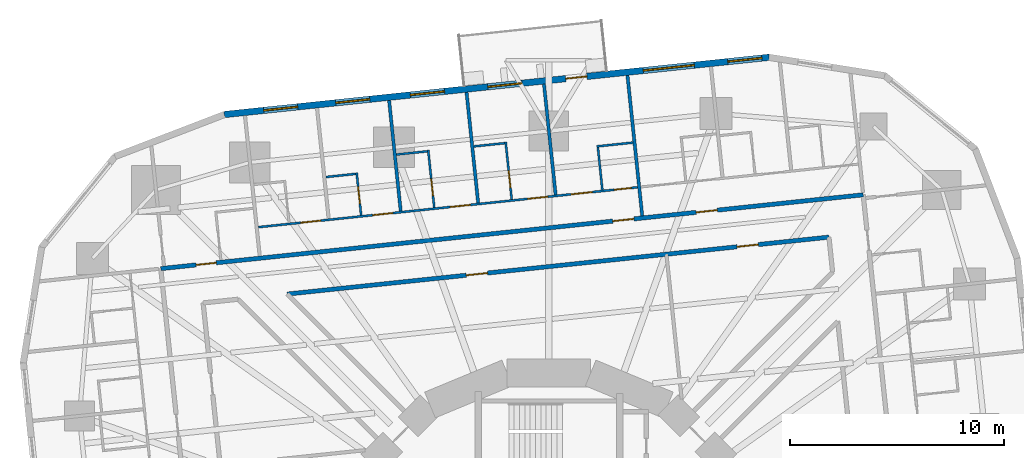
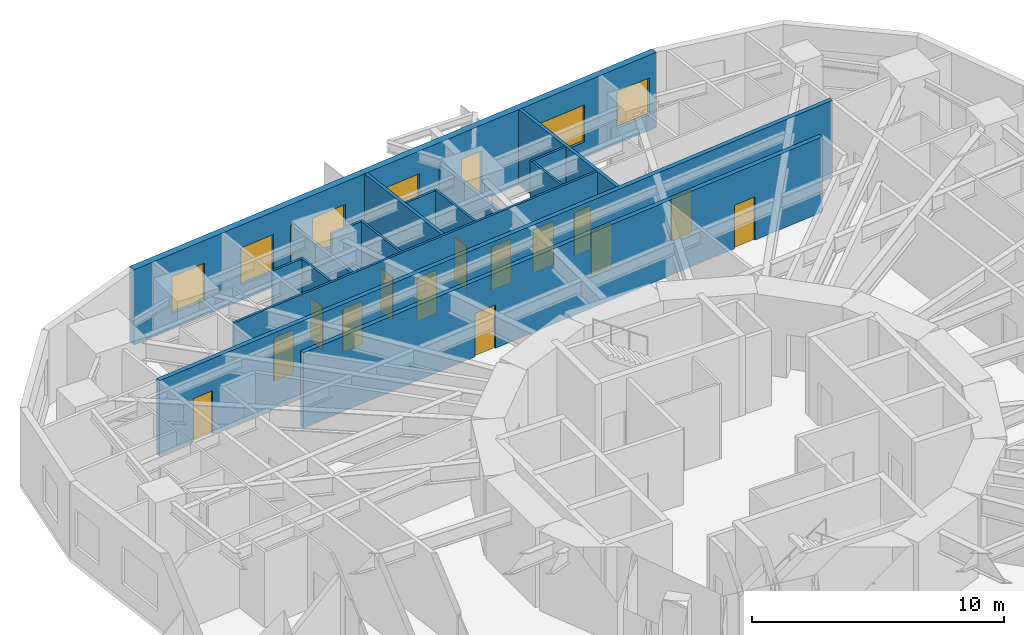
# One storey, part 11 of 15: 16 walls, 15 doors, 6 windows, 21 openings.
"""IFC4 building model written with IfcOpenShell, lengths in metres."""

from ifc_helpers import new_model, si_unit, direction, frame, frame_2d, origin, place, context, subcontext, project, spatial, rectangle, extrude, material, layer, layer_set, type_object, element, fill, save


model = new_model("IFC4")

# Units and contexts
model_context = context("Model", 3, precision=1e-05, world=origin(), true_north=direction((0.0, 1.0)))
body_context = subcontext(model_context, "Body", "Model", "MODEL_VIEW")
ifc_project = project(units=[si_unit("LENGTHUNIT", "METRE"), si_unit("AREAUNIT", "SQUARE_METRE"), si_unit("VOLUMEUNIT", "CUBIC_METRE"), si_unit("PLANEANGLEUNIT", "RADIAN"), si_unit("MASSUNIT", "GRAM", prefix="KILO")], contexts=[model_context])

# Site, building, storey
site_placement = place(None, origin())
site = spatial("IfcSite", under=ifc_project, at=site_placement, CompositionType="ELEMENT")
building_placement = place(site_placement, origin())
building = spatial("IfcBuilding", under=site, at=building_placement, Name="Nakasero Lantern House", CompositionType="ELEMENT")
storey_placement = place(building_placement, frame((0.0, 0.0, 72.050048828125)))
storey = spatial("IfcBuildingStorey", under=building, at=storey_placement, Name="L17", CompositionType="ELEMENT", Elevation=72.050048828125)

# Wall, openings, doors
ifc_material_1 = material(Name="Blockwork", Category="masonry")
ifc_layer_1 = layer(ifc_material_1, 0.10009765625)
ifc_layer_set_1 = layer_set([ifc_layer_1], Name="Cluster hall wall 100")
wall_type_1 = type_object("IfcWallType", Name="Cluster hall wall 100", PredefinedType="PARTITIONING", material=ifc_layer_set_1)
wall_1_placement = place(storey_placement, frame((4.143798828125, 18.484375, 0.0), z_axis=(0.0, 0.0, 1.0), x_axis=(-0.994522331519, -0.104524313484, 0.0)))
wall_1 = element("IfcWall", 1, at=wall_1_placement, inside=storey, type_object=wall_type_1, Name="Cluster hall wall L17 HW1-1", PredefinedType="PARTITIONING", context=body_context, shape_type="SweptSolid", body=[
    extrude(rectangle(XDim=17.8193359375, YDim=0.10009765625, at=frame_2d((8.90966796875, 0.0))), origin(), (0.0, 0.0, 1.0), 3.64990234375),
])
opening_1_placement = place(wall_1_placement, frame((2.125, 0.0, 0.0)))
opening_1 = element("IfcOpeningElement", 2, at=opening_1_placement, cuts=wall_1, Name="Opening D03", PredefinedType="OPENING", context=body_context, shape_type="SweptSolid", body=[
    extrude(rectangle(XDim=1.0, YDim=2.10009765625, at=frame_2d((0.5, 1.050048828125))), frame((0.0, 0.070068359375, 0.0), z_axis=(0.0, -1.0, 0.0), x_axis=(1.0, 0.0, 0.0)), (0.0, 0.0, 1.0), 0.14013671875),
])
opening_2_placement = place(wall_1_placement, frame((0.300048828125, 0.0, 0.0)))
opening_2 = element("IfcOpeningElement", 3, at=opening_2_placement, cuts=wall_1, Name="Opening D02", PredefinedType="OPENING", context=body_context, shape_type="SweptSolid", body=[
    extrude(rectangle(XDim=0.800048828125, YDim=2.10009765625, at=frame_2d((0.39990234375, 1.050048828125))), frame((0.0, 0.070068359375, 0.0), z_axis=(0.0, -1.0, 0.0), x_axis=(1.0, 0.0, 0.0)), (0.0, 0.0, 1.0), 0.14013671875),
])
opening_3_placement = place(wall_1_placement, frame((4.22119140625, 0.0, 0.0)))
opening_3 = element("IfcOpeningElement", 4, at=opening_3_placement, cuts=wall_1, Name="Opening D01", PredefinedType="OPENING", context=body_context, shape_type="SweptSolid", body=[
    extrude(rectangle(XDim=0.949951171875, YDim=2.10009765625, at=frame_2d((0.47509765625, 1.050048828125))), frame((0.0, 0.070068359375, 0.0), z_axis=(0.0, -1.0, 0.0), x_axis=(1.0, 0.0, 0.0)), (0.0, 0.0, 1.0), 0.14013671875),
])
opening_4_placement = place(wall_1_placement, frame((7.859619140625, 0.0, 0.0)))
opening_4 = element("IfcOpeningElement", 5, at=opening_4_placement, cuts=wall_1, Name="Opening D01", PredefinedType="OPENING", context=body_context, shape_type="SweptSolid", body=[
    extrude(rectangle(XDim=0.949951171875, YDim=2.10009765625, at=frame_2d((0.47509765625, 1.050048828125))), frame((0.0, 0.070068359375, 0.0), z_axis=(0.0, -1.0, 0.0), x_axis=(1.0, 0.0, 0.0)), (0.0, 0.0, 1.0), 0.14013671875),
])
opening_5_placement = place(wall_1_placement, frame((11.498291015625, 0.0, 0.0)))
opening_5 = element("IfcOpeningElement", 6, at=opening_5_placement, cuts=wall_1, Name="Opening D01", PredefinedType="OPENING", context=body_context, shape_type="SweptSolid", body=[
    extrude(rectangle(XDim=0.949951171875, YDim=2.10009765625, at=frame_2d((0.47509765625, 1.050048828125))), frame((0.0, 0.070068359375, 0.0), z_axis=(0.0, -1.0, 0.0), x_axis=(1.0, 0.0, 0.0)), (0.0, 0.0, 1.0), 0.14013671875),
])
opening_6_placement = place(wall_1_placement, frame((14.8837890625, 0.0, 0.0)))
opening_6 = element("IfcOpeningElement", 7, at=opening_6_placement, cuts=wall_1, Name="Opening D01", PredefinedType="OPENING", context=body_context, shape_type="SweptSolid", body=[
    extrude(rectangle(XDim=0.949951171875, YDim=2.10009765625, at=frame_2d((0.47509765625, 1.050048828125))), frame((0.0, 0.070068359375, 0.0), z_axis=(0.0, -1.0, 0.0), x_axis=(1.0, 0.0, 0.0)), (0.0, 0.0, 1.0), 0.14013671875),
])
ifc_material_2 = material(Name="Timber C24", Category="wood")
door_type_1 = type_object("IfcDoorType", Name="Bedroom door FD30S 950", OperationType="SINGLE_SWING_LEFT", PredefinedType="DOOR", material=ifc_material_2)
door_1_placement = place(opening_3_placement, origin())
door_1 = element("IfcDoor", 8, at=door_1_placement, inside=storey, type_object=door_type_1, Name="Door L17 D1-04", OperationType="SINGLE_SWING_LEFT", OverallHeight=2.10009765625, OverallWidth=0.949951171875, PredefinedType="DOOR", context=body_context, shape_type="SweptSolid", body=[
    extrude(rectangle(XDim=0.949951171875, YDim=2.10009765625, at=frame_2d((0.47509765625, 1.050048828125))), frame((0.0, 0.02490234375, 0.0), z_axis=(0.0, -1.0, 0.0), x_axis=(1.0, 0.0, 0.0)), (0.0, 0.0, 1.0), 0.050048828125),
])
fill(opening_3, door_1)
door_2_placement = place(opening_4_placement, origin())
door_2 = element("IfcDoor", 9, at=door_2_placement, inside=storey, type_object=door_type_1, Name="Door L17 D1-05", OperationType="SINGLE_SWING_LEFT", OverallHeight=2.10009765625, OverallWidth=0.949951171875, PredefinedType="DOOR", context=body_context, shape_type="SweptSolid", body=[
    extrude(rectangle(XDim=0.949951171875, YDim=2.10009765625, at=frame_2d((0.47509765625, 1.050048828125))), frame((0.0, 0.02490234375, 0.0), z_axis=(0.0, -1.0, 0.0), x_axis=(1.0, 0.0, 0.0)), (0.0, 0.0, 1.0), 0.050048828125),
])
fill(opening_4, door_2)
door_3_placement = place(opening_5_placement, origin())
door_3 = element("IfcDoor", 10, at=door_3_placement, inside=storey, type_object=door_type_1, Name="Door L17 D1-06", OperationType="SINGLE_SWING_RIGHT", OverallHeight=2.10009765625, OverallWidth=0.949951171875, PredefinedType="DOOR", context=body_context, shape_type="SweptSolid", body=[
    extrude(rectangle(XDim=0.949951171875, YDim=2.10009765625, at=frame_2d((0.47509765625, 1.050048828125))), frame((0.0, 0.02490234375, 0.0), z_axis=(0.0, -1.0, 0.0), x_axis=(1.0, 0.0, 0.0)), (0.0, 0.0, 1.0), 0.050048828125),
])
fill(opening_5, door_3)
door_4_placement = place(opening_6_placement, origin())
door_4 = element("IfcDoor", 11, at=door_4_placement, inside=storey, type_object=door_type_1, Name="Door L17 D1-07", OperationType="SINGLE_SWING_RIGHT", OverallHeight=2.10009765625, OverallWidth=0.949951171875, PredefinedType="DOOR", context=body_context, shape_type="SweptSolid", body=[
    extrude(rectangle(XDim=0.949951171875, YDim=2.10009765625, at=frame_2d((0.47509765625, 1.050048828125))), frame((0.0, 0.02490234375, 0.0), z_axis=(0.0, -1.0, 0.0), x_axis=(1.0, 0.0, 0.0)), (0.0, 0.0, 1.0), 0.050048828125),
])
fill(opening_6, door_4)
ifc_material_3 = material(Name="Timber C24", Category="wood")
door_type_2 = type_object("IfcDoorType", Name="En-suite door 800", OperationType="SINGLE_SWING_RIGHT", PredefinedType="DOOR", material=ifc_material_3)
door_5_placement = place(opening_2_placement, origin())
door_5 = element("IfcDoor", 12, at=door_5_placement, inside=storey, type_object=door_type_2, Name="Door L17 DSH1-1", OperationType="SINGLE_SWING_LEFT", OverallHeight=2.10009765625, OverallWidth=0.800048828125, PredefinedType="DOOR", context=body_context, shape_type="SweptSolid", body=[
    extrude(rectangle(XDim=0.800048828125, YDim=2.10009765625, at=frame_2d((0.39990234375, 1.050048828125))), frame((0.0, 0.02490234375, 0.0), z_axis=(0.0, -1.0, 0.0), x_axis=(1.0, 0.0, 0.0)), (0.0, 0.0, 1.0), 0.050048828125),
])
fill(opening_2, door_5)
ifc_material_4 = material(Name="Timber C24", Category="wood")
door_type_3 = type_object("IfcDoorType", Name="Lounge door FD30S 1000", OperationType="SINGLE_SWING_LEFT", PredefinedType="DOOR", material=ifc_material_4)
door_6_placement = place(opening_1_placement, origin())
door_6 = element("IfcDoor", 13, at=door_6_placement, inside=storey, type_object=door_type_3, Name="Door L17 DH1-1", OperationType="SINGLE_SWING_LEFT", OverallHeight=2.10009765625, OverallWidth=1.0, PredefinedType="DOOR", context=body_context, shape_type="SweptSolid", body=[
    extrude(rectangle(XDim=1.0, YDim=2.10009765625, at=frame_2d((0.5, 1.050048828125))), frame((0.0, 0.02490234375, 0.0), z_axis=(0.0, -1.0, 0.0), x_axis=(1.0, 0.0, 0.0)), (0.0, 0.0, 1.0), 0.050048828125),
])
fill(opening_1, door_6)

ifc_material_5 = material(Name="Blockwork", Category="masonry")
ifc_layer_2 = layer(ifc_material_5, 0.199951171875)
ifc_layer_set_2 = layer_set([ifc_layer_2], Name="Corridor wall 200")
wall_type_2 = type_object("IfcWallType", Name="Corridor wall 200", PredefinedType="PARTITIONING", material=ifc_layer_set_2)
wall_2_placement = place(storey_placement, frame((14.684814453125, 18.13427734375, 0.0), z_axis=(0.0, 0.0, 1.0), x_axis=(-0.994521777723, -0.10452958258, 0.0)))
wall_2 = element("IfcWall", 14, at=wall_2_placement, inside=storey, type_object=wall_type_2, Name="Corridor wall L17 CW1", PredefinedType="PARTITIONING", context=body_context, shape_type="SweptSolid", body=[
    extrude(rectangle(XDim=32.999755859375, YDim=0.199951171875, at=frame_2d((16.5, 0.0))), origin(), (0.0, 0.0, 1.0), 3.64990234375),
])
opening_7_placement = place(wall_2_placement, frame((6.8505859375, 0.0, 0.0)))
opening_7 = element("IfcOpeningElement", 15, at=opening_7_placement, cuts=wall_2, Name="Opening D14", PredefinedType="OPENING", context=body_context, shape_type="SweptSolid", body=[
    extrude(rectangle(XDim=1.0, YDim=2.10009765625, at=frame_2d((0.5, 1.050048828125))), frame((0.0, 0.119873046875, 0.0), z_axis=(0.0, -1.0, 0.0), x_axis=(1.0, 0.0, 0.0)), (0.0, 0.0, 1.0), 0.239990234375),
])
opening_8_placement = place(wall_2_placement, frame((10.771728515625, 0.0, 0.0)))
opening_8 = element("IfcOpeningElement", 16, at=opening_8_placement, cuts=wall_2, Name="Opening D14", PredefinedType="OPENING", context=body_context, shape_type="SweptSolid", body=[
    extrude(rectangle(XDim=1.0, YDim=2.10009765625, at=frame_2d((0.5, 1.050048828125))), frame((0.0, 0.119873046875, 0.0), z_axis=(0.0, -1.0, 0.0), x_axis=(1.0, 0.0, 0.0)), (0.0, 0.0, 1.0), 0.239990234375),
])
opening_9_placement = place(wall_2_placement, frame((30.39111328125, 0.0, 0.0)))
opening_9 = element("IfcOpeningElement", 17, at=opening_9_placement, cuts=wall_2, Name="Opening D01", PredefinedType="OPENING", context=body_context, shape_type="SweptSolid", body=[
    extrude(rectangle(XDim=0.949951171875, YDim=2.10009765625, at=frame_2d((0.47509765625, 1.050048828125))), frame((0.0, 0.119873046875, 0.0), z_axis=(0.0, -1.0, 0.0), x_axis=(1.0, 0.0, 0.0)), (0.0, 0.0, 1.0), 0.239990234375),
])
door_7_placement = place(opening_9_placement, origin())
door_7 = element("IfcDoor", 18, at=door_7_placement, inside=storey, type_object=door_type_1, Name="Door L17 D1-08", OperationType="SINGLE_SWING_RIGHT", OverallHeight=2.10009765625, OverallWidth=0.949951171875, PredefinedType="DOOR", context=body_context, shape_type="SweptSolid", body=[
    extrude(rectangle(XDim=0.949951171875, YDim=2.10009765625, at=frame_2d((0.47509765625, 1.050048828125))), frame((0.0, 0.02490234375, 0.0), z_axis=(0.0, -1.0, 0.0), x_axis=(1.0, 0.0, 0.0)), (0.0, 0.0, 1.0), 0.050048828125),
])
fill(opening_9, door_7)
ifc_material_6 = material(Name="Timber C24", Category="wood")
door_type_4 = type_object("IfcDoorType", Name="Cluster entrance door FD30S 1000", OperationType="SINGLE_SWING_LEFT", PredefinedType="DOOR", material=ifc_material_6)
door_8_placement = place(opening_7_placement, origin())
door_8 = element("IfcDoor", 19, at=door_8_placement, inside=storey, type_object=door_type_4, Name="Door L17 DF1-0", OperationType="SINGLE_SWING_LEFT", OverallHeight=2.10009765625, OverallWidth=1.0, PredefinedType="DOOR", context=body_context, shape_type="SweptSolid", body=[
    extrude(rectangle(XDim=1.0, YDim=2.10009765625, at=frame_2d((0.5, 1.050048828125))), frame((0.0, 0.02490234375, 0.0), z_axis=(0.0, -1.0, 0.0), x_axis=(1.0, 0.0, 0.0)), (0.0, 0.0, 1.0), 0.050048828125),
])
fill(opening_7, door_8)
door_9_placement = place(opening_8_placement, origin())
door_9 = element("IfcDoor", 20, at=door_9_placement, inside=storey, type_object=door_type_4, Name="Door L17 DF1-1", OperationType="SINGLE_SWING_LEFT", OverallHeight=2.10009765625, OverallWidth=1.0, PredefinedType="DOOR", context=body_context, shape_type="SweptSolid", body=[
    extrude(rectangle(XDim=1.0, YDim=2.10009765625, at=frame_2d((0.5, 1.050048828125))), frame((0.0, 0.02490234375, 0.0), z_axis=(0.0, -1.0, 0.0), x_axis=(1.0, 0.0, 0.0)), (0.0, 0.0, 1.0), 0.050048828125),
])
fill(opening_8, door_9)

wall_3_placement = place(storey_placement, frame((13.0830078125, 16.156005859375, 0.0), z_axis=(0.0, 0.0, 1.0), x_axis=(-0.994522473358, -0.104522963916, 0.0)))
wall_3 = element("IfcWall", 21, at=wall_3_placement, inside=storey, type_object=wall_type_2, Name="Corridor wall L17 IW1-0", PredefinedType="PARTITIONING", context=body_context, shape_type="SweptSolid", body=[
    extrude(rectangle(XDim=25.44580078125, YDim=0.199951171875, at=frame_2d((12.722900390625, 0.0))), origin(), (0.0, 0.0, 1.0), 3.64990234375),
])
opening_10_placement = place(wall_3_placement, frame((3.31689453125, 0.0, 0.0)))
opening_10 = element("IfcOpeningElement", 22, at=opening_10_placement, cuts=wall_3, Name="Opening D07", PredefinedType="OPENING", context=body_context, shape_type="SweptSolid", body=[
    extrude(rectangle(XDim=1.0, YDim=2.10009765625, at=frame_2d((0.5, 1.050048828125))), frame((0.0, 0.119873046875, 0.0), z_axis=(0.0, -1.0, 0.0), x_axis=(1.0, 0.0, 0.0)), (0.0, 0.0, 1.0), 0.239990234375),
])
opening_11_placement = place(wall_3_placement, frame((16.039794921875, 0.0, 0.0)))
opening_11 = element("IfcOpeningElement", 23, at=opening_11_placement, cuts=wall_3, Name="Opening D07", PredefinedType="OPENING", context=body_context, shape_type="SweptSolid", body=[
    extrude(rectangle(XDim=1.0, YDim=2.10009765625, at=frame_2d((0.5, 1.050048828125))), frame((0.0, 0.119873046875, 0.0), z_axis=(0.0, -1.0, 0.0), x_axis=(1.0, 0.0, 0.0)), (0.0, 0.0, 1.0), 0.239990234375),
])
ifc_material_7 = material(Name="Timber C24", Category="wood")
door_type_5 = type_object("IfcDoorType", Name="Room door FD30S 1000", OperationType="SINGLE_SWING_LEFT", PredefinedType="DOOR", material=ifc_material_7)
door_10_placement = place(opening_10_placement, origin())
door_10 = element("IfcDoor", 24, at=door_10_placement, inside=storey, type_object=door_type_5, Name="Door L17 DI2", OperationType="SINGLE_SWING_LEFT", OverallHeight=2.10009765625, OverallWidth=1.0, PredefinedType="DOOR", context=body_context, shape_type="SweptSolid", body=[
    extrude(rectangle(XDim=1.0, YDim=2.10009765625, at=frame_2d((0.5, 1.050048828125))), frame((0.0, 0.02490234375, 0.0), z_axis=(0.0, -1.0, 0.0), x_axis=(1.0, 0.0, 0.0)), (0.0, 0.0, 1.0), 0.050048828125),
])
fill(opening_10, door_10)
door_11_placement = place(opening_11_placement, origin())
door_11 = element("IfcDoor", 25, at=door_11_placement, inside=storey, type_object=door_type_5, Name="Door L17 DI2S", OperationType="SINGLE_SWING_RIGHT", OverallHeight=2.10009765625, OverallWidth=1.0, PredefinedType="DOOR", context=body_context, shape_type="SweptSolid", body=[
    extrude(rectangle(XDim=1.0, YDim=2.10009765625, at=frame_2d((0.5, 1.050048828125))), frame((0.0, 0.02490234375, 0.0), z_axis=(0.0, -1.0, 0.0), x_axis=(1.0, 0.0, 0.0)), (0.0, 0.0, 1.0), 0.050048828125),
])
fill(opening_11, door_11)

# Walls
ifc_material_8 = material(Name="Blockwork", Category="masonry")
ifc_layer_3 = layer(ifc_material_8, 0.10009765625)
ifc_layer_set_3 = layer_set([ifc_layer_3], Name="En-suite wall 100")
wall_type_3 = type_object("IfcWallType", Name="En-suite wall 100", PredefinedType="PARTITIONING", material=ifc_layer_set_3)
wall_4_placement = place(storey_placement, frame((2.49755859375, 18.361572265625, 0.0), z_axis=(0.0, 0.0, 1.0), x_axis=(-0.104509292252, 0.994523910136, 0.0)))
element("IfcWall", 26, at=wall_4_placement, inside=storey, type_object=wall_type_3, Name="En-suite wall L17 SS1-1", PredefinedType="PARTITIONING", context=body_context, shape_type="SweptSolid", body=[
    extrude(rectangle(XDim=2.10009765625, YDim=0.10009765625, at=frame_2d((1.050048828125, 0.0))), origin(), (0.0, 0.0, 1.0), 3.64990234375),
])
wall_5_placement = place(storey_placement, frame((3.92431640625, 20.572998046875, 0.0), z_axis=(0.0, 0.0, 1.0), x_axis=(-0.994519608382, -0.104550220202, 0.0)))
element("IfcWall", 27, at=wall_5_placement, inside=storey, type_object=wall_type_3, Name="En-suite wall L17 SE1-1", PredefinedType="PARTITIONING", context=body_context, shape_type="SweptSolid", body=[
    extrude(rectangle(XDim=1.699951171875, YDim=0.10009765625, at=frame_2d((0.85009765625, 0.0))), origin(), (0.0, 0.0, 1.0), 3.64990234375),
])

# Wall, opening, door
wall_6_placement = place(storey_placement, frame((-1.73876953125, 17.91650390625, 0.0), z_axis=(0.0, 0.0, 1.0), x_axis=(-0.104534153452, 0.994521297289, 0.0)))
wall_6 = element("IfcWall", 28, at=wall_6_placement, inside=storey, type_object=wall_type_3, Name="En-suite wall L17 ES1-04", PredefinedType="PARTITIONING", context=body_context, shape_type="SweptSolid", body=[
    extrude(rectangle(XDim=2.699951171875, YDim=0.10009765625, at=frame_2d((1.35009765625, 0.0))), origin(), (0.0, 0.0, 1.0), 3.64990234375),
])
opening_12_placement = place(wall_6_placement, frame((0.550048828125, 0.0, 0.0)))
opening_12 = element("IfcOpeningElement", 29, at=opening_12_placement, cuts=wall_6, Name="Opening D02", PredefinedType="OPENING", context=body_context, shape_type="SweptSolid", body=[
    extrude(rectangle(XDim=0.800048828125, YDim=2.10009765625, at=frame_2d((0.39990234375, 1.050048828125))), frame((0.0, 0.070068359375, 0.0), z_axis=(0.0, -1.0, 0.0), x_axis=(1.0, 0.0, 0.0)), (0.0, 0.0, 1.0), 0.14013671875),
])
door_12_placement = place(opening_12_placement, origin())
door_12 = element("IfcDoor", 30, at=door_12_placement, inside=storey, type_object=door_type_2, Name="Door L17 DE1-04", OperationType="SINGLE_SWING_LEFT", OverallHeight=2.10009765625, OverallWidth=0.800048828125, PredefinedType="DOOR", context=body_context, shape_type="SweptSolid", body=[
    extrude(rectangle(XDim=0.800048828125, YDim=2.10009765625, at=frame_2d((0.39990234375, 1.050048828125))), frame((0.0, 0.02490234375, 0.0), z_axis=(0.0, -1.0, 0.0), x_axis=(1.0, 0.0, 0.0)), (0.0, 0.0, 1.0), 0.050048828125),
])
fill(opening_12, door_12)

# Wall
wall_7_placement = place(storey_placement, frame((-2.0654296875, 20.546630859375, 0.0), z_axis=(0.0, 0.0, 1.0), x_axis=(-0.994519282274, -0.10455332221, 0.0)))
element("IfcWall", 31, at=wall_7_placement, inside=storey, type_object=wall_type_3, Name="En-suite wall L17 EE1-04", PredefinedType="PARTITIONING", context=body_context, shape_type="SweptSolid", body=[
    extrude(rectangle(XDim=1.4501953125, YDim=0.10009765625, at=frame_2d((0.72509765625, 0.0))), origin(), (0.0, 0.0, 1.0), 3.64990234375),
])

# Wall, opening, door
wall_8_placement = place(storey_placement, frame((-5.357421875, 17.5361328125, 0.0), z_axis=(0.0, 0.0, 1.0), x_axis=(-0.104534153452, 0.994521297289, 0.0)))
wall_8 = element("IfcWall", 32, at=wall_8_placement, inside=storey, type_object=wall_type_3, Name="En-suite wall L17 ES1-05", PredefinedType="PARTITIONING", context=body_context, shape_type="SweptSolid", body=[
    extrude(rectangle(XDim=2.699951171875, YDim=0.10009765625, at=frame_2d((1.35009765625, 0.0))), origin(), (0.0, 0.0, 1.0), 3.64990234375),
])
opening_13_placement = place(wall_8_placement, frame((0.550048828125, 0.0, 0.0)))
opening_13 = element("IfcOpeningElement", 33, at=opening_13_placement, cuts=wall_8, Name="Opening D02", PredefinedType="OPENING", context=body_context, shape_type="SweptSolid", body=[
    extrude(rectangle(XDim=0.800048828125, YDim=2.10009765625, at=frame_2d((0.39990234375, 1.050048828125))), frame((0.0, 0.070068359375, 0.0), z_axis=(0.0, -1.0, 0.0), x_axis=(1.0, 0.0, 0.0)), (0.0, 0.0, 1.0), 0.14013671875),
])
door_13_placement = place(opening_13_placement, origin())
door_13 = element("IfcDoor", 34, at=door_13_placement, inside=storey, type_object=door_type_2, Name="Door L17 DE1-05", OperationType="SINGLE_SWING_LEFT", OverallHeight=2.10009765625, OverallWidth=0.800048828125, PredefinedType="DOOR", context=body_context, shape_type="SweptSolid", body=[
    extrude(rectangle(XDim=0.800048828125, YDim=2.10009765625, at=frame_2d((0.39990234375, 1.050048828125))), frame((0.0, 0.02490234375, 0.0), z_axis=(0.0, -1.0, 0.0), x_axis=(1.0, 0.0, 0.0)), (0.0, 0.0, 1.0), 0.050048828125),
])
fill(opening_13, door_13)

# Wall
wall_9_placement = place(storey_placement, frame((-5.68408203125, 20.166259765625, 0.0), z_axis=(0.0, 0.0, 1.0), x_axis=(-0.994519282274, -0.10455332221, 0.0)))
element("IfcWall", 35, at=wall_9_placement, inside=storey, type_object=wall_type_3, Name="En-suite wall L17 EE1-05", PredefinedType="PARTITIONING", context=body_context, shape_type="SweptSolid", body=[
    extrude(rectangle(XDim=1.4501953125, YDim=0.10009765625, at=frame_2d((0.72509765625, 0.0))), origin(), (0.0, 0.0, 1.0), 3.64990234375),
])

# Wall, opening, door
wall_10_placement = place(storey_placement, frame((-8.774169921875, 17.177001953125, 0.0), z_axis=(0.0, 0.0, 1.0), x_axis=(-0.104494148666, 0.99452550138, 0.0)))
wall_10 = element("IfcWall", 36, at=wall_10_placement, inside=storey, type_object=wall_type_3, Name="En-suite wall L17 ES1-06", PredefinedType="PARTITIONING", context=body_context, shape_type="SweptSolid", body=[
    extrude(rectangle(XDim=2.0, YDim=0.10009765625, at=frame_2d((1.0, 0.0))), origin(), (0.0, 0.0, 1.0), 3.64990234375),
])
opening_14_placement = place(wall_10_placement, frame((0.550048828125, 0.0, 0.0)))
opening_14 = element("IfcOpeningElement", 37, at=opening_14_placement, cuts=wall_10, Name="Opening D02", PredefinedType="OPENING", context=body_context, shape_type="SweptSolid", body=[
    extrude(rectangle(XDim=0.800048828125, YDim=2.10009765625, at=frame_2d((0.39990234375, 1.050048828125))), frame((0.0, 0.070068359375, 0.0), z_axis=(0.0, -1.0, 0.0), x_axis=(1.0, 0.0, 0.0)), (0.0, 0.0, 1.0), 0.14013671875),
])
door_14_placement = place(opening_14_placement, origin())
door_14 = element("IfcDoor", 38, at=door_14_placement, inside=storey, type_object=door_type_2, Name="Door L17 DE1-06", OperationType="SINGLE_SWING_LEFT", OverallHeight=2.10009765625, OverallWidth=0.800048828125, PredefinedType="DOOR", context=body_context, shape_type="SweptSolid", body=[
    extrude(rectangle(XDim=0.800048828125, YDim=2.10009765625, at=frame_2d((0.39990234375, 1.050048828125))), frame((0.0, 0.02490234375, 0.0), z_axis=(0.0, -1.0, 0.0), x_axis=(1.0, 0.0, 0.0)), (0.0, 0.0, 1.0), 0.050048828125),
])
fill(opening_14, door_14)

# Wall
wall_11_placement = place(storey_placement, frame((-9.027587890625, 19.111083984375, 0.0), z_axis=(0.0, 0.0, 1.0), x_axis=(-0.994511184598, -0.104630319263, 0.0)))
element("IfcWall", 39, at=wall_11_placement, inside=storey, type_object=wall_type_3, Name="En-suite wall L17 EE1-06", PredefinedType="PARTITIONING", context=body_context, shape_type="SweptSolid", body=[
    extrude(rectangle(XDim=1.39990234375, YDim=0.10009765625, at=frame_2d((0.699951171875, 0.0))), origin(), (0.0, 0.0, 1.0), 3.64990234375),
])

# Wall, openings, door, windows
ifc_material_9 = material(Name="Aluminium rainscreen on blockwork", Category="masonry")
ifc_layer_4 = layer(ifc_material_9, 0.300048828125)
ifc_layer_set_4 = layer_set([ifc_layer_4], Name="Facade wall 300")
wall_type_4 = type_object("IfcWallType", Name="Facade wall 300", PredefinedType="SOLIDWALL", material=ifc_layer_set_4)
wall_12_placement = place(storey_placement, frame((10.2890625, 24.56005859375, 0.0), z_axis=(0.0, 0.0, 1.0), x_axis=(-0.994521483895, -0.104532378096, 0.0)))
wall_12 = element("IfcWall", 40, at=wall_12_placement, inside=storey, type_object=wall_type_4, Name="Facade wall L17 FW1S", PredefinedType="SOLIDWALL", context=body_context, shape_type="SweptSolid", body=[
    extrude(rectangle(XDim=25.599853515625, YDim=0.300048828125, at=frame_2d((12.7998046875, 0.0))), origin(), (0.0, 0.0, 1.0), 3.64990234375),
])
opening_15_placement = place(wall_12_placement, frame((0.337890625, 0.0, 0.75)))
opening_15 = element("IfcOpeningElement", 41, at=opening_15_placement, cuts=wall_12, Name="Opening W01", PredefinedType="OPENING", context=body_context, shape_type="SweptSolid", body=[
    extrude(rectangle(XDim=1.60009765625, YDim=1.800048828125, at=frame_2d((0.800048828125, 0.89990234375))), frame((0.0, 0.169921875, 0.0), z_axis=(0.0, -1.0, 0.0), x_axis=(1.0, 0.0, 0.0)), (0.0, 0.0, 1.0), 0.340087890625),
])
opening_16_placement = place(wall_12_placement, frame((11.612060546875, 0.0, 0.75)))
opening_16 = element("IfcOpeningElement", 42, at=opening_16_placement, cuts=wall_12, Name="Opening W01", PredefinedType="OPENING", context=body_context, shape_type="SweptSolid", body=[
    extrude(rectangle(XDim=1.60009765625, YDim=1.800048828125, at=frame_2d((0.800048828125, 0.89990234375))), frame((0.0, 0.169921875, 0.0), z_axis=(0.0, -1.0, 0.0), x_axis=(1.0, 0.0, 0.0)), (0.0, 0.0, 1.0), 0.340087890625),
])
opening_17_placement = place(wall_12_placement, frame((15.250732421875, 0.0, 0.75)))
opening_17 = element("IfcOpeningElement", 43, at=opening_17_placement, cuts=wall_12, Name="Opening W01", PredefinedType="OPENING", context=body_context, shape_type="SweptSolid", body=[
    extrude(rectangle(XDim=1.60009765625, YDim=1.800048828125, at=frame_2d((0.800048828125, 0.89990234375))), frame((0.0, 0.169921875, 0.0), z_axis=(0.0, -1.0, 0.0), x_axis=(1.0, 0.0, 0.0)), (0.0, 0.0, 1.0), 0.340087890625),
])
opening_18_placement = place(wall_12_placement, frame((18.7626953125, 0.0, 0.75)))
opening_18 = element("IfcOpeningElement", 44, at=opening_18_placement, cuts=wall_12, Name="Opening W01", PredefinedType="OPENING", context=body_context, shape_type="SweptSolid", body=[
    extrude(rectangle(XDim=1.60009765625, YDim=1.800048828125, at=frame_2d((0.800048828125, 0.89990234375))), frame((0.0, 0.169921875, 0.0), z_axis=(0.0, -1.0, 0.0), x_axis=(1.0, 0.0, 0.0)), (0.0, 0.0, 1.0), 0.340087890625),
])
opening_19_placement = place(wall_12_placement, frame((22.1484375, 0.0, 0.75)))
opening_19 = element("IfcOpeningElement", 45, at=opening_19_placement, cuts=wall_12, Name="Opening W01", PredefinedType="OPENING", context=body_context, shape_type="SweptSolid", body=[
    extrude(rectangle(XDim=1.60009765625, YDim=1.800048828125, at=frame_2d((0.800048828125, 0.89990234375))), frame((0.0, 0.169921875, 0.0), z_axis=(0.0, -1.0, 0.0), x_axis=(1.0, 0.0, 0.0)), (0.0, 0.0, 1.0), 0.340087890625),
])
opening_20_placement = place(wall_12_placement, frame((3.51123046875, 0.0, 0.75)))
opening_20 = element("IfcOpeningElement", 46, at=opening_20_placement, cuts=wall_12, Name="Opening W03", PredefinedType="OPENING", context=body_context, shape_type="SweptSolid", body=[
    extrude(rectangle(XDim=2.39990234375, YDim=1.800048828125, at=frame_2d((1.199951171875, 0.89990234375))), frame((0.0, 0.169921875, 0.0), z_axis=(0.0, -1.0, 0.0), x_axis=(1.0, 0.0, 0.0)), (0.0, 0.0, 1.0), 0.340087890625),
])
opening_21_placement = place(wall_12_placement, frame((8.558837890625, 0.0, 0.0)))
opening_21 = element("IfcOpeningElement", 47, at=opening_21_placement, cuts=wall_12, Name="Opening D04", PredefinedType="OPENING", context=body_context, shape_type="SweptSolid", body=[
    extrude(rectangle(XDim=1.0, YDim=2.39990234375, at=frame_2d((0.5, 1.199951171875))), frame((0.0, 0.169921875, 0.0), z_axis=(0.0, -1.0, 0.0), x_axis=(1.0, 0.0, 0.0)), (0.0, 0.0, 1.0), 0.340087890625),
])
ifc_material_10 = material(Name="Aluminium 6063-T6 and glass", Category="aluminium")
door_type_6 = type_object("IfcDoorType", Name="Balcony door 1000x2400", OperationType="SINGLE_SWING_RIGHT", PredefinedType="DOOR", material=ifc_material_10)
door_15_placement = place(opening_21_placement, origin())
door_15 = element("IfcDoor", 48, at=door_15_placement, inside=storey, type_object=door_type_6, Name="Balcony door L17 DB1", OperationType="SINGLE_SWING_RIGHT", OverallHeight=2.39990234375, OverallWidth=1.0, PredefinedType="DOOR", context=body_context, shape_type="SweptSolid", body=[
    extrude(rectangle(XDim=1.0, YDim=2.39990234375, at=frame_2d((0.5, 1.199951171875))), frame((0.0, 0.02490234375, 0.0), z_axis=(0.0, -1.0, 0.0), x_axis=(1.0, 0.0, 0.0)), (0.0, 0.0, 1.0), 0.050048828125),
])
fill(opening_21, door_15)
ifc_material_11 = material(Name="Aluminium 6063-T6 and glass", Category="aluminium")
window_type_1 = type_object("IfcWindowType", Name="Bedroom window 1600x1800", PartitioningType="SINGLE_PANEL", PredefinedType="WINDOW", material=ifc_material_11)
window_1_placement = place(opening_15_placement, origin())
window_1 = element("IfcWindow", 49, at=window_1_placement, inside=storey, type_object=window_type_1, Name="Window L17 WN1-01", OverallHeight=1.800048828125, OverallWidth=1.60009765625, PartitioningType="SINGLE_PANEL", PredefinedType="WINDOW", context=body_context, shape_type="SweptSolid", body=[
    extrude(rectangle(XDim=1.60009765625, YDim=1.800048828125, at=frame_2d((0.800048828125, 0.89990234375))), frame((0.0, 0.030029296875, 0.0), z_axis=(0.0, -1.0, 0.0), x_axis=(1.0, 0.0, 0.0)), (0.0, 0.0, 1.0), 0.06005859375),
])
fill(opening_15, window_1)
window_2_placement = place(opening_16_placement, origin())
window_2 = element("IfcWindow", 50, at=window_2_placement, inside=storey, type_object=window_type_1, Name="Window L17 WN1-04", OverallHeight=1.800048828125, OverallWidth=1.60009765625, PartitioningType="SINGLE_PANEL", PredefinedType="WINDOW", context=body_context, shape_type="SweptSolid", body=[
    extrude(rectangle(XDim=1.60009765625, YDim=1.800048828125, at=frame_2d((0.800048828125, 0.89990234375))), frame((0.0, 0.030029296875, 0.0), z_axis=(0.0, -1.0, 0.0), x_axis=(1.0, 0.0, 0.0)), (0.0, 0.0, 1.0), 0.06005859375),
])
fill(opening_16, window_2)
window_3_placement = place(opening_17_placement, origin())
window_3 = element("IfcWindow", 51, at=window_3_placement, inside=storey, type_object=window_type_1, Name="Window L17 WN1-05", OverallHeight=1.800048828125, OverallWidth=1.60009765625, PartitioningType="SINGLE_PANEL", PredefinedType="WINDOW", context=body_context, shape_type="SweptSolid", body=[
    extrude(rectangle(XDim=1.60009765625, YDim=1.800048828125, at=frame_2d((0.800048828125, 0.89990234375))), frame((0.0, 0.030029296875, 0.0), z_axis=(0.0, -1.0, 0.0), x_axis=(1.0, 0.0, 0.0)), (0.0, 0.0, 1.0), 0.06005859375),
])
fill(opening_17, window_3)
window_4_placement = place(opening_18_placement, origin())
window_4 = element("IfcWindow", 52, at=window_4_placement, inside=storey, type_object=window_type_1, Name="Window L17 WN1-06", OverallHeight=1.800048828125, OverallWidth=1.60009765625, PartitioningType="SINGLE_PANEL", PredefinedType="WINDOW", context=body_context, shape_type="SweptSolid", body=[
    extrude(rectangle(XDim=1.60009765625, YDim=1.800048828125, at=frame_2d((0.800048828125, 0.89990234375))), frame((0.0, 0.030029296875, 0.0), z_axis=(0.0, -1.0, 0.0), x_axis=(1.0, 0.0, 0.0)), (0.0, 0.0, 1.0), 0.06005859375),
])
fill(opening_18, window_4)
window_5_placement = place(opening_19_placement, origin())
window_5 = element("IfcWindow", 53, at=window_5_placement, inside=storey, type_object=window_type_1, Name="Window L17 WN1-07", OverallHeight=1.800048828125, OverallWidth=1.60009765625, PartitioningType="SINGLE_PANEL", PredefinedType="WINDOW", context=body_context, shape_type="SweptSolid", body=[
    extrude(rectangle(XDim=1.60009765625, YDim=1.800048828125, at=frame_2d((0.800048828125, 0.89990234375))), frame((0.0, 0.030029296875, 0.0), z_axis=(0.0, -1.0, 0.0), x_axis=(1.0, 0.0, 0.0)), (0.0, 0.0, 1.0), 0.06005859375),
])
fill(opening_19, window_5)
ifc_material_12 = material(Name="Aluminium 6063-T6 and glass", Category="aluminium")
window_type_2 = type_object("IfcWindowType", Name="Lounge window 2400x1800", PartitioningType="SINGLE_PANEL", PredefinedType="WINDOW", material=ifc_material_12)
window_6_placement = place(opening_20_placement, origin())
window_6 = element("IfcWindow", 54, at=window_6_placement, inside=storey, type_object=window_type_2, Name="Window L17 WK1", OverallHeight=1.800048828125, OverallWidth=2.39990234375, PartitioningType="SINGLE_PANEL", PredefinedType="WINDOW", context=body_context, shape_type="SweptSolid", body=[
    extrude(rectangle(XDim=2.39990234375, YDim=1.800048828125, at=frame_2d((1.199951171875, 0.89990234375))), frame((0.0, 0.030029296875, 0.0), z_axis=(0.0, -1.0, 0.0), x_axis=(1.0, 0.0, 0.0)), (0.0, 0.0, 1.0), 0.06005859375),
])
fill(opening_20, window_6)

# Walls
ifc_material_13 = material(Name="Blockwork", Category="masonry")
ifc_layer_5 = layer(ifc_material_13, 0.14990234375)
ifc_layer_set_5 = layer_set([ifc_layer_5], Name="Party wall 150")
wall_type_5 = type_object("IfcWallType", Name="Party wall 150", PredefinedType="PARTITIONING", material=ifc_layer_set_5)
wall_13_placement = place(storey_placement, frame((4.359619140625, 17.149658203125, 0.0), z_axis=(0.0, 0.0, 1.0), x_axis=(-0.104538438287, 0.994520846901, 0.0)))
element("IfcWall", 55, at=wall_13_placement, inside=storey, type_object=wall_type_5, Name="Party wall L17 PW1-03", PredefinedType="PARTITIONING", context=body_context, shape_type="SweptSolid", body=[
    extrude(rectangle(XDim=6.599853515625, YDim=0.14990234375, at=frame_2d((3.2998046875, 0.0))), origin(), (0.0, 0.0, 1.0), 3.64990234375),
])
wall_14_placement = place(storey_placement, frame((0.3134765625, 18.132080078125, 0.0), z_axis=(0.0, 0.0, 1.0), x_axis=(-0.104508820017, 0.994523959761, 0.0)))
element("IfcWall", 56, at=wall_14_placement, inside=storey, type_object=wall_type_5, Name="Party wall L17 PW1-04", PredefinedType="PARTITIONING", context=body_context, shape_type="SweptSolid", body=[
    extrude(rectangle(XDim=5.2001953125, YDim=0.14990234375, at=frame_2d((2.60009765625, 0.0))), origin(), (0.0, 0.0, 1.0), 2.650146484375),
])
wall_15_placement = place(storey_placement, frame((-3.30517578125, 17.751708984375, 0.0), z_axis=(0.0, 0.0, 1.0), x_axis=(-0.104508820017, 0.994523959761, 0.0)))
element("IfcWall", 57, at=wall_15_placement, inside=storey, type_object=wall_type_5, Name="Party wall L17 PW1-05", PredefinedType="PARTITIONING", context=body_context, shape_type="SweptSolid", body=[
    extrude(rectangle(XDim=5.2001953125, YDim=0.14990234375, at=frame_2d((2.60009765625, 0.0))), origin(), (0.0, 0.0, 1.0), 3.64990234375),
])
wall_16_placement = place(storey_placement, frame((-6.923828125, 17.371337890625, 0.0), z_axis=(0.0, 0.0, 1.0), x_axis=(-0.104508820017, 0.994523959761, 0.0)))
element("IfcWall", 58, at=wall_16_placement, inside=storey, type_object=wall_type_5, Name="Party wall L17 PW1-06", PredefinedType="PARTITIONING", context=body_context, shape_type="SweptSolid", body=[
    extrude(rectangle(XDim=5.2001953125, YDim=0.14990234375, at=frame_2d((2.60009765625, 0.0))), origin(), (0.0, 0.0, 1.0), 2.669921875),
])

save(model, "model.ifc")
